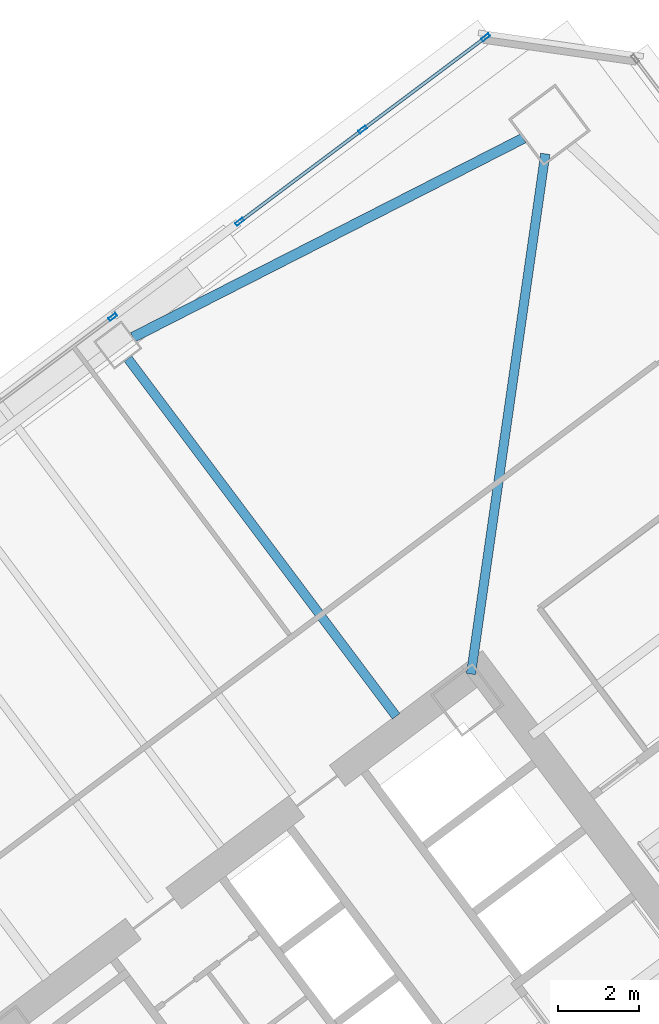
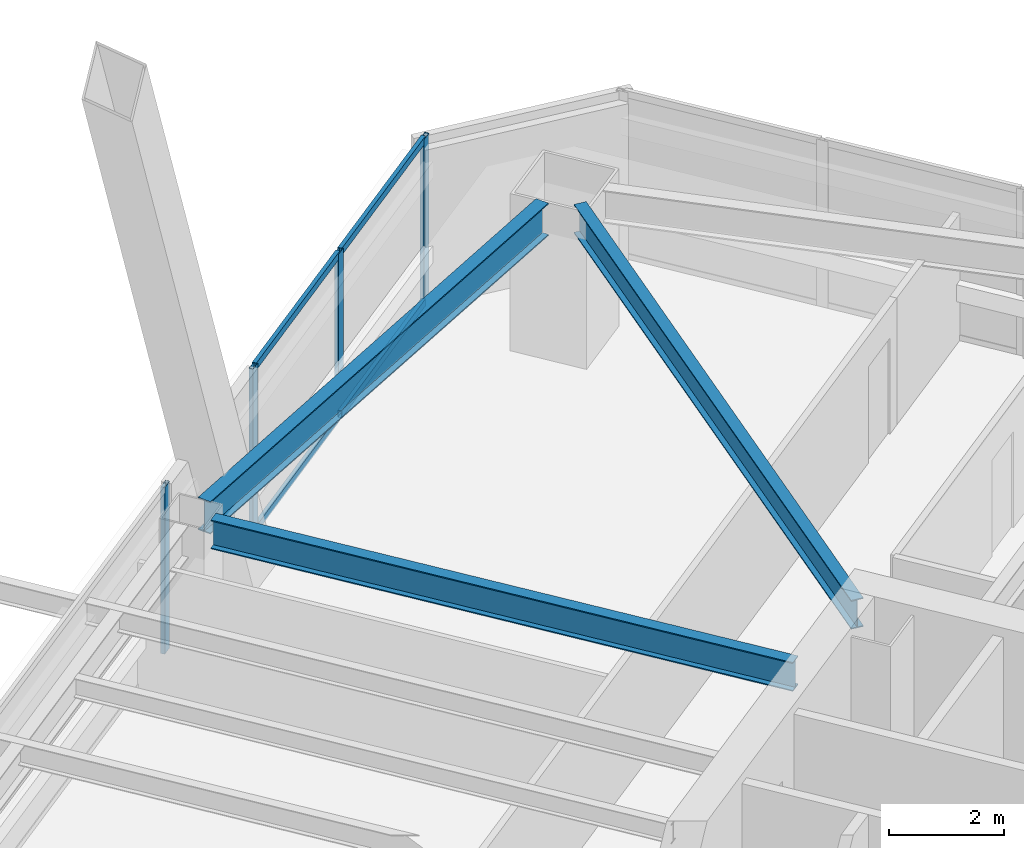
# One storey, part 35 of 54: 8 members, 3 beams, 2 elements without a shape of their own.
"""IFC4 building model written with IfcOpenShell, lengths in metres."""

from ifc_helpers import new_model, si_unit, direction, frame, origin, origin_2d, place, context, subcontext, project, spatial, hollow_rectangle, i_section, extrude, material, material_profile, profile_set, type_object, element, aggregate, save


model = new_model("IFC4")

# Units and contexts
model_context = context("Model", 3, precision=1e-05, world=origin(), true_north=direction((0.0, 1.0)))
body_context = subcontext(model_context, "Body", "Model", "MODEL_VIEW")
ifc_project = project(units=[si_unit("LENGTHUNIT", "METRE"), si_unit("AREAUNIT", "SQUARE_METRE"), si_unit("VOLUMEUNIT", "CUBIC_METRE"), si_unit("PLANEANGLEUNIT", "RADIAN"), si_unit("MASSUNIT", "GRAM", prefix="KILO")], contexts=[model_context])

# Site, building, storey
site_placement = place(None, origin())
site = spatial("IfcSite", under=ifc_project, at=site_placement, CompositionType="ELEMENT")
building_placement = place(site_placement, origin())
building = spatial("IfcBuilding", under=site, at=building_placement, Name="Tashvorn Skyway Center", CompositionType="ELEMENT")
storey_placement = place(building_placement, frame((0.0, 0.0, 88.5)))
storey = spatial("IfcBuildingStorey", under=building, at=storey_placement, Name="L23", CompositionType="ELEMENT", Elevation=88.5)

# Beams
ifc_material_1 = material(Name="Steel ASTM A992 Grade 50", Category="steel")
ifc_material_profile_1 = material_profile(ifc_material_1, i_section(OverallWidth=0.22998046875, OverallDepth=0.616943359375, WebThickness=0.01318359375, FlangeThickness=0.022216796875, at=origin_2d()), Name="W24X94")
ifc_profile_set_1 = profile_set([ifc_material_profile_1], Name="Steel ASTM A992 Grade 50")
beam_type_1 = type_object("IfcBeamType", Name="BM-BEAM-W24X94", PredefinedType="BEAM", material=ifc_profile_set_1)
beam_1_placement = place(storey_placement, frame((117.338134765625, 55.3671875, 3.04150390625), z_axis=(-0.141418724841, -0.989949869571, 0.0), x_axis=(0.989949869571, -0.141418724841, 0.0)))
element("IfcBeam", 1, at=beam_1_placement, inside=storey, type_object=beam_type_1, Name="Tower 2 L23 Primary Floor Girder MC-NE", PredefinedType="BEAM", context=body_context, shape_type="SweptSolid", body=[
    extrude(i_section(OverallWidth=0.22998046875, OverallDepth=0.616943359375, WebThickness=0.01318359375, FlangeThickness=0.022216796875, at=origin_2d()), origin(), (0.0, 0.0, 1.0), 12.9892578125),
])
beam_2_placement = place(storey_placement, frame((107.02197265625, 50.303955078125, 3.04150390625), z_axis=(0.60001414024, -0.799989394625, 0.0), x_axis=(0.799989394625, 0.60001414024, 0.0)))
element("IfcBeam", 2, at=beam_2_placement, inside=storey, type_object=beam_type_1, Name="Tower 2 L23 Primary Floor Girder FC-N1", PredefinedType="BEAM", context=body_context, shape_type="SweptSolid", body=[
    extrude(i_section(OverallWidth=0.22998046875, OverallDepth=0.616943359375, WebThickness=0.01318359375, FlangeThickness=0.022216796875, at=origin_2d()), origin(), (0.0, 0.0, 1.0), 11.050048828125),
])
ifc_material_profile_2 = material_profile(ifc_material_1, i_section(OverallWidth=0.256103515625, OverallDepth=0.693115234375, WebThickness=0.014404296875, FlangeThickness=0.023681640625, at=origin_2d()), Name="W27X114")
ifc_profile_set_2 = profile_set([ifc_material_profile_2], Name="Steel ASTM A992 Grade 50")
beam_type_2 = type_object("IfcBeamType", Name="BM-SPANDREL-W27X114", PredefinedType="SPANDREL", material=ifc_profile_set_2)
beam_3_placement = place(storey_placement, frame((116.798583984375, 55.7529296875, 3.00341796875), z_axis=(-0.890894170442, -0.454210938961, 0.0), x_axis=(0.454210938961, -0.890894170442, 0.0)))
element("IfcBeam", 3, at=beam_3_placement, inside=storey, type_object=beam_type_2, Name="Tower 2 L23 Spandrel Beam 07", PredefinedType="SPANDREL", context=body_context, shape_type="SweptSolid", body=[
    extrude(i_section(OverallWidth=0.256103515625, OverallDepth=0.693115234375, WebThickness=0.014404296875, FlangeThickness=0.023681640625, at=origin_2d()), origin(), (0.0, 0.0, 1.0), 10.836669921875),
])

# Curtain wall, member
ifc_material_2 = material(Name="Thermally broken bronze-anodized aluminium 6063-T6", Category="aluminium")
curtain_wall_type = type_object("IfcCurtainWallType", Name="CW-CW-Z2", PredefinedType="NOTDEFINED", material=ifc_material_2)
curtain_wall_1_placement = place(storey_placement, origin())
curtain_wall_1 = element("IfcCurtainWall", 4, at=curtain_wall_1_placement, inside=storey, type_object=curtain_wall_type, Name="Tower 2 L23 North Unitised Curtain Wall Glazing Group 2", PredefinedType="NOTDEFINED")
ifc_material_profile_3 = material_profile(ifc_material_2, hollow_rectangle(XDim=0.080078125, YDim=0.219970703125, WallThickness=0.0048828125, at=origin_2d()), Name="ALU-MULL-80x220")
ifc_profile_set_3 = profile_set([ifc_material_profile_3], Name="Thermally broken bronze-anodized aluminium 6063-T6")
member_type_1 = type_object("IfcMemberType", Name="CWM-CW-Z2", PredefinedType="MULLION", material=ifc_profile_set_3)
member_1_placement = place(storey_placement, frame((106.64794921875, 51.3359375, 0.0), z_axis=(0.0, 0.0, 1.0), x_axis=(-0.600000000002, 0.799999999998, 0.0)))
member_1 = element("IfcMember", 5, at=member_1_placement, type_object=member_type_1, Name="CW-Z2 mullion 2", PredefinedType="MULLION", context=body_context, shape_type="SweptSolid", body=[
    extrude(hollow_rectangle(XDim=0.080078125, YDim=0.219970703125, WallThickness=0.0048828125, at=origin_2d()), origin(), (0.0, 0.0, 1.0), 3.550048828125),
])
aggregate(curtain_wall_1, [member_1])

# Curtain wall, members
curtain_wall_2_placement = place(storey_placement, origin())
curtain_wall_2 = element("IfcCurtainWall", 6, at=curtain_wall_2_placement, inside=storey, type_object=curtain_wall_type, Name="Tower 2 L23 North Unitised Curtain Wall Glazing Group 3", PredefinedType="NOTDEFINED")
member_2_placement = place(storey_placement, frame((109.783935546875, 53.68798828125, 0.0), z_axis=(0.0, 0.0, 1.0), x_axis=(-0.600000000002, 0.799999999998, 0.0)))
member_2 = element("IfcMember", 7, at=member_2_placement, type_object=member_type_1, Name="CW-Z2 mullion 1", PredefinedType="MULLION", context=body_context, shape_type="SweptSolid", body=[
    extrude(hollow_rectangle(XDim=0.080078125, YDim=0.219970703125, WallThickness=0.0048828125, at=origin_2d()), origin(), (0.0, 0.0, 1.0), 3.550048828125),
])
member_3_placement = place(storey_placement, frame((112.823974609375, 55.968017578125, 0.0), z_axis=(0.0, 0.0, 1.0), x_axis=(-0.600000000002, 0.799999999998, 0.0)))
member_3 = element("IfcMember", 8, at=member_3_placement, type_object=member_type_1, Name="CW-Z2 mullion 2", PredefinedType="MULLION", context=body_context, shape_type="SweptSolid", body=[
    extrude(hollow_rectangle(XDim=0.080078125, YDim=0.219970703125, WallThickness=0.0048828125, at=origin_2d()), origin(), (0.0, 0.0, 1.0), 3.550048828125),
])
member_4_placement = place(storey_placement, frame((115.864013671875, 58.248046875, 0.0), z_axis=(0.0, 0.0, 1.0), x_axis=(-0.600000000002, 0.799999999998, 0.0)))
member_4 = element("IfcMember", 9, at=member_4_placement, type_object=member_type_1, Name="CW-Z2 mullion 3", PredefinedType="MULLION", context=body_context, shape_type="SweptSolid", body=[
    extrude(hollow_rectangle(XDim=0.080078125, YDim=0.219970703125, WallThickness=0.0048828125, at=origin_2d()), origin(), (0.0, 0.0, 1.0), 3.550048828125),
])
ifc_material_profile_4 = material_profile(ifc_material_2, hollow_rectangle(XDim=0.080078125, YDim=0.14990234375, WallThickness=0.00439453125, at=origin_2d()), Name="ALU-TRAN-80x150")
ifc_profile_set_4 = profile_set([ifc_material_profile_4], Name="Thermally broken bronze-anodized aluminium 6063-T6")
member_type_2 = type_object("IfcMemberType", Name="CWT-CW-Z2", PredefinedType="USERDEFINED", material=ifc_profile_set_4)
member_5_placement = place(storey_placement, frame((109.81591796875, 53.7119140625, 0.0400390625), z_axis=(0.799984249419, 0.6000210002, 0.0), x_axis=(-0.6000210002, 0.799984249419, 0.0)))
member_5 = element("IfcMember", 10, at=member_5_placement, type_object=member_type_2, Name="CW-Z2 transom 1.1", ObjectType="TRANSOM", PredefinedType="USERDEFINED", context=body_context, shape_type="SweptSolid", body=[
    extrude(hollow_rectangle(XDim=0.080078125, YDim=0.14990234375, WallThickness=0.00439453125, at=origin_2d()), origin(), (0.0, 0.0, 1.0), 3.72021484375),
])
member_6_placement = place(storey_placement, frame((109.81591796875, 53.7119140625, 3.510009765625), z_axis=(0.799984249419, 0.6000210002, 0.0), x_axis=(-0.6000210002, 0.799984249419, 0.0)))
member_6 = element("IfcMember", 11, at=member_6_placement, type_object=member_type_2, Name="CW-Z2 transom 1.2", ObjectType="TRANSOM", PredefinedType="USERDEFINED", context=body_context, shape_type="SweptSolid", body=[
    extrude(hollow_rectangle(XDim=0.080078125, YDim=0.14990234375, WallThickness=0.00439453125, at=origin_2d()), origin(), (0.0, 0.0, 1.0), 3.72021484375),
])
member_7_placement = place(storey_placement, frame((112.85595703125, 55.991943359375, 0.0400390625), z_axis=(0.799984249419, 0.6000210002, 0.0), x_axis=(-0.6000210002, 0.799984249419, 0.0)))
member_7 = element("IfcMember", 12, at=member_7_placement, type_object=member_type_2, Name="CW-Z2 transom 2.1", ObjectType="TRANSOM", PredefinedType="USERDEFINED", context=body_context, shape_type="SweptSolid", body=[
    extrude(hollow_rectangle(XDim=0.080078125, YDim=0.14990234375, WallThickness=0.00439453125, at=origin_2d()), origin(), (0.0, 0.0, 1.0), 3.72021484375),
])
member_8_placement = place(storey_placement, frame((112.85595703125, 55.991943359375, 3.510009765625), z_axis=(0.799984249419, 0.6000210002, 0.0), x_axis=(-0.6000210002, 0.799984249419, 0.0)))
member_8 = element("IfcMember", 13, at=member_8_placement, type_object=member_type_2, Name="CW-Z2 transom 2.2", ObjectType="TRANSOM", PredefinedType="USERDEFINED", context=body_context, shape_type="SweptSolid", body=[
    extrude(hollow_rectangle(XDim=0.080078125, YDim=0.14990234375, WallThickness=0.00439453125, at=origin_2d()), origin(), (0.0, 0.0, 1.0), 3.72021484375),
])
aggregate(curtain_wall_2, [member_2, member_3, member_4, member_5, member_6, member_7, member_8])

save(model, "model.ifc")
